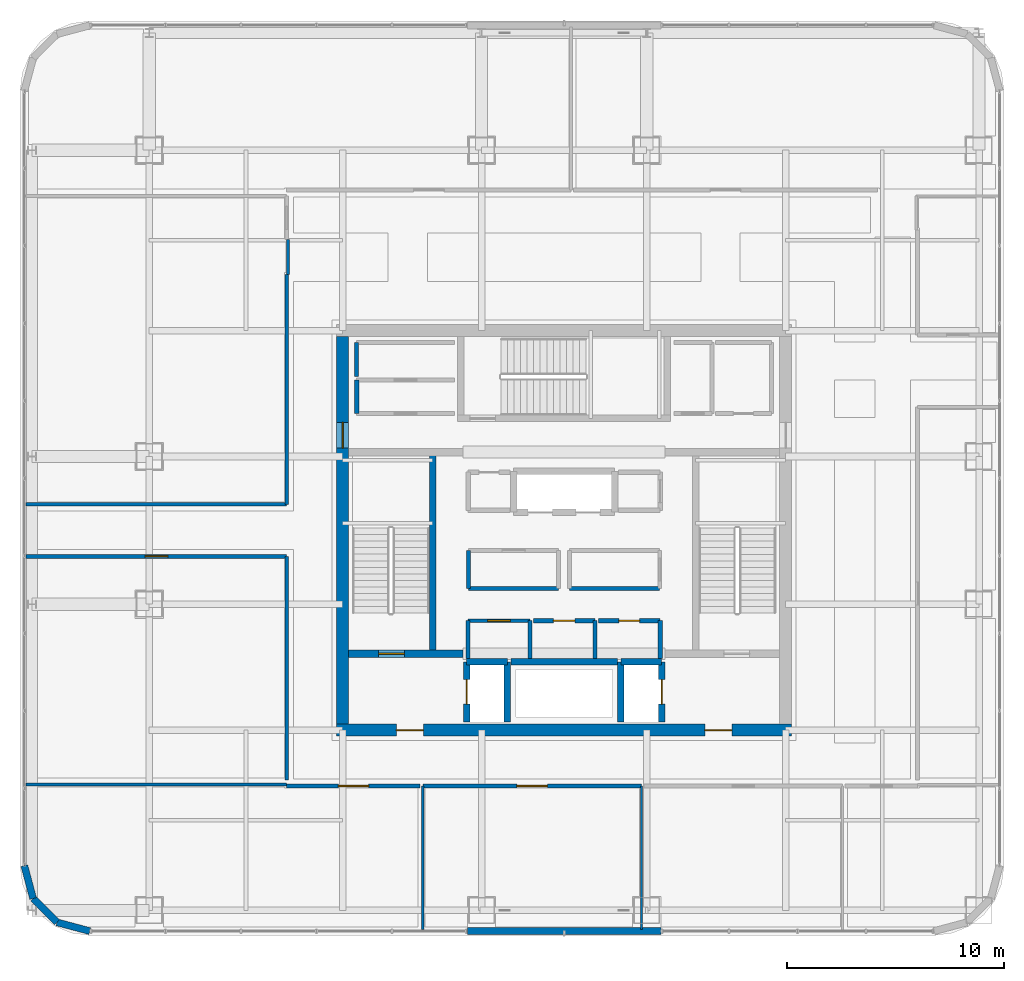
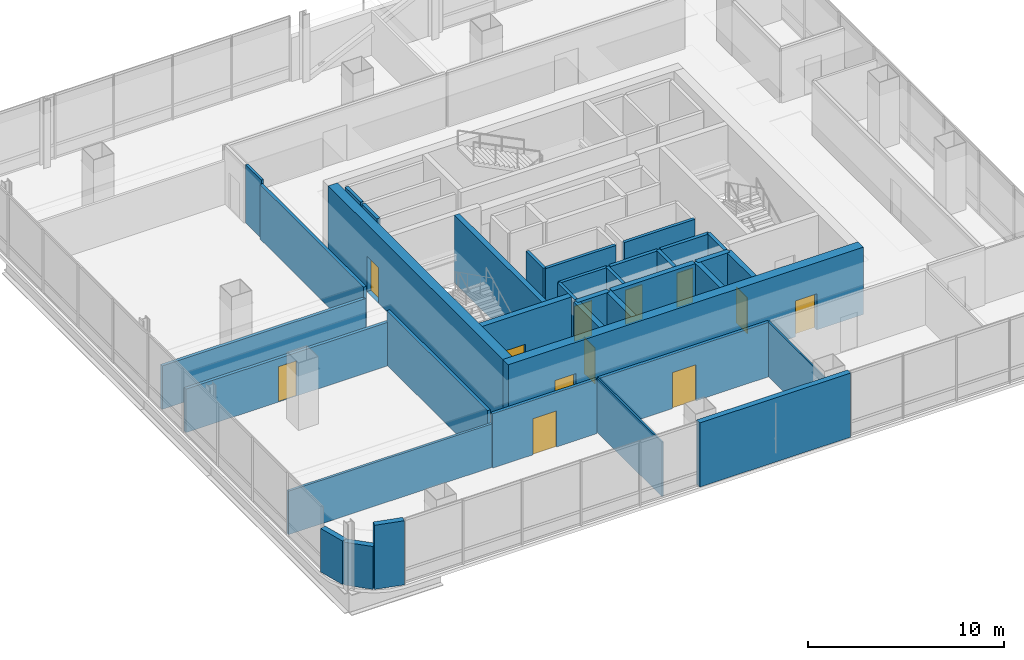
# One storey, part 32 of 43: 37 walls, 12 doors, 12 openings.
"""IFC4 building model written with IfcOpenShell, lengths in metres."""

import ifcopenshell
import ifcopenshell.guid

model = None  # the IFC model being written
_history = None  # IfcOwnerHistory: only IFC2X3 demands one
_inside = {}  # id of a spatial element -> (the spatial element, [elements in it])
_under = {}  # id of a project, library or spatial element -> (it, [spatial elements below it])
_declared = {}  # id of a project -> (the project, [libraries it declares])
_typed = {}  # id of a type object -> (the type object, [elements of that type])
_made_of = {}  # id of a material, layer set ... -> (it, [elements and type objects made of it])


def new_model(schema):
    """Start an empty IFC model of exactly this schema.

    Asked for "IFC4X3", IfcOpenShell would pick the latest addendum, in which some entities
    have other attributes; the version numbers below select the first issue.
    IFC2X3 requires an IfcOwnerHistory on every rooted entity: one is made here for all.
    """
    global model, _history
    if schema == "IFC4X3":
        model = ifcopenshell.file(schema_version=(4, 3, 0, 0))
    else:
        model = ifcopenshell.file(schema=schema)
    _inside.clear()
    _under.clear()
    _declared.clear()
    _typed.clear()
    _made_of.clear()
    _history = None
    if model.schema == "IFC2X3":
        org = make("IfcOrganization", Name="unknown")
        user = make(
            "IfcPersonAndOrganization",
            ThePerson=make("IfcPerson", FamilyName="unknown"),
            TheOrganization=org,
        )
        app = make(
            "IfcApplication",
            ApplicationDeveloper=org,
            Version="unknown",
            ApplicationFullName="unknown",
            ApplicationIdentifier="unknown",
        )
        _history = make(
            "IfcOwnerHistory",
            OwningUser=user,
            OwningApplication=app,
            ChangeAction="ADDED",
            CreationDate=0,
        )
    return model


def make(cls, **values):
    """One entity of the class cls with the attributes given. An attribute that is None is left unset."""
    return model.create_entity(
        cls, **{name: value for name, value in values.items() if value is not None}
    )


def rooted(cls, **values):
    """An entity with a GlobalId (a new one), such as an element, a storey or a relation."""
    return make(cls, GlobalId=ifcopenshell.guid.new(), OwnerHistory=_history, **values)


def si_unit(unit_type, name, prefix=None):
    """IfcSIUnit, for example si_unit("LENGTHUNIT", "METRE", prefix="MILLI")."""
    return make("IfcSIUnit", UnitType=unit_type, Prefix=prefix, Name=name)


def assignment(units):
    """IfcUnitAssignment: the units of a project."""
    return None if units is None else make("IfcUnitAssignment", Units=units)


def point(xyz):
    """IfcCartesianPoint."""
    return None if xyz is None else make("IfcCartesianPoint", Coordinates=xyz)


def direction(xyz):
    """IfcDirection."""
    return None if xyz is None else make("IfcDirection", DirectionRatios=xyz)


def frame(location, z_axis=None, x_axis=None):
    """IfcAxis2Placement3D, a coordinate frame: its origin and axes. An axis left out is left unset."""
    return make(
        "IfcAxis2Placement3D",
        Location=point(location),
        Axis=direction(z_axis),
        RefDirection=direction(x_axis),
    )


def frame_2d(location, x_axis=None):
    """IfcAxis2Placement2D, a coordinate frame in the plane: its origin and x axis."""
    return make(
        "IfcAxis2Placement2D", Location=point(location), RefDirection=direction(x_axis)
    )


def origin():
    """The frame at (0, 0, 0) with its axes left unset."""
    return frame((0.0, 0.0, 0.0))


def place(relative_to, where):
    """IfcLocalPlacement: puts the frame where relative to a parent placement (None: the world)."""
    return make(
        "IfcLocalPlacement", PlacementRelTo=relative_to, RelativePlacement=where
    )


def context(
    kind, dimensions, precision=None, world=None, true_north=None, identifier=None
):
    """IfcGeometricRepresentationContext, for example the 3D "Model" context."""
    return make(
        "IfcGeometricRepresentationContext",
        ContextIdentifier=identifier,
        ContextType=kind,
        CoordinateSpaceDimension=dimensions,
        Precision=precision,
        WorldCoordinateSystem=world,
        TrueNorth=true_north,
    )


def subcontext(parent, identifier, kind, view, scale=None):
    """IfcGeometricRepresentationSubContext, for example "Body" below "Model"."""
    return make(
        "IfcGeometricRepresentationSubContext",
        ContextIdentifier=identifier,
        ContextType=kind,
        ParentContext=parent,
        TargetScale=scale,
        TargetView=view,
    )


def project(units=None, contexts=None):
    """IfcProject with its units and contexts."""
    return rooted(
        "IfcProject",
        Name="project",
        RepresentationContexts=contexts,
        UnitsInContext=assignment(units),
    )


def spatial(cls, under=None, at=None, **own):
    """A site, building, storey or space (cls), placed at a placement, below another one or the project."""
    s = rooted(cls, ObjectPlacement=at, **own)
    if under is not None:
        _under.setdefault(under.id(), (under, []))[1].append(s)
    return s


def profile(cls, at=None, kind="AREA", **sizes):
    """A parametric profile (cls). Its sizes go by their IFC names, for example OverallWidth=200.0."""
    return make(cls, ProfileType=kind, Position=at, **sizes)


def rectangle(**sizes):
    """IfcRectangleProfileDef."""
    return profile("IfcRectangleProfileDef", **sizes)


def extrude(swept, where, along, depth):
    """IfcExtrudedAreaSolid: the profile swept, set in the frame where, extruded along a direction by depth."""
    return make(
        "IfcExtrudedAreaSolid",
        SweptArea=swept,
        Position=where,
        ExtrudedDirection=direction(along),
        Depth=depth,
    )


def shape(context_of_items, identifier, shape_type, items):
    """IfcShapeRepresentation: the items that make up one representation, for example the "Body"."""
    return make(
        "IfcShapeRepresentation",
        ContextOfItems=context_of_items,
        RepresentationIdentifier=identifier,
        RepresentationType=shape_type,
        Items=items,
    )


def material(Name=None, Category=None):
    """IfcMaterial."""
    return make("IfcMaterial", Name=Name, Category=Category)


def layer(
    of_material, thickness, ventilated=None, Name=None, Category=None, Priority=None
):
    """IfcMaterialLayer: one layer of a wall or slab, of a material (None: an air gap)."""
    return make(
        "IfcMaterialLayer",
        Material=of_material,
        LayerThickness=thickness,
        IsVentilated=ventilated,
        Name=Name,
        Category=Category,
        Priority=Priority,
    )


def layer_set(layers, Name=None):
    """IfcMaterialLayerSet."""
    return make("IfcMaterialLayerSet", MaterialLayers=layers, LayerSetName=Name)


def made_of(thing, what):
    """Note that an element or type object is made of a material, layer set ...; save() writes the relation."""
    if what is not None:
        _made_of.setdefault(what.id(), (what, []))[1].append(thing)
    return thing


def type_object(cls, material=None, **own):
    """A type object (cls), such as IfcWallType, which elements share."""
    return made_of(rooted(cls, **own), material)


def element(
    cls,
    number,
    at=None,
    inside=None,
    cuts=None,
    type_object=None,
    material=None,
    context=None,
    identifier="Body",
    shape_type=None,
    held_by="IfcProductDefinitionShape",
    body=None,
    shapes=None,
    **own,
):
    """One element of the class cls, such as IfcWall. Its Tag is "e" and its number.

    at: its placement. inside: the storey or other place that contains it. cuts: it is an
    opening in that element (IfcRelVoidsElement). A single representation is given by context,
    identifier, shape_type and body (its items); several are given by shapes. held_by: the class
    of the entity that holds the representations. save() writes the other relations.
    """
    e = rooted(cls, Tag="e%d" % number, ObjectPlacement=at, **own)
    if body is not None:
        shapes = [shape(context, identifier, shape_type, body)]
    if shapes is not None:
        e.Representation = make(held_by, Representations=shapes)
    if inside is not None:
        _inside.setdefault(inside.id(), (inside, []))[1].append(e)
    if cuts is not None:
        rooted(
            "IfcRelVoidsElement", RelatingBuildingElement=cuts, RelatedOpeningElement=e
        )
    if type_object is not None:
        _typed.setdefault(type_object.id(), (type_object, []))[1].append(e)
    return made_of(e, material)


def fill(opening, filler):
    """IfcRelFillsElement: the door or window that sits in an opening."""
    return rooted(
        "IfcRelFillsElement",
        RelatingOpeningElement=opening,
        RelatedBuildingElement=filler,
    )


def aggregate(whole, parts):
    """IfcRelAggregates: a whole, such as a stair, and the parts it consists of."""
    return rooted("IfcRelAggregates", RelatingObject=whole, RelatedObjects=parts)


def save(model, path):
    """Write the relations noted so far, then the file.

    IfcRelAggregates (storeys below a building ...), IfcRelContainedInSpatialStructure (elements
    in a storey), IfcRelDefinesByType, IfcRelAssociatesMaterial and IfcRelDeclares: one each for
    every whole, place, type object, material and project.
    """
    for whole, parts in _under.values():
        aggregate(whole, parts)
    for where, things in _inside.values():
        rooted(
            "IfcRelContainedInSpatialStructure",
            RelatedElements=things,
            RelatingStructure=where,
        )
    for kind, things in _typed.values():
        rooted("IfcRelDefinesByType", RelatedObjects=things, RelatingType=kind)
    for what, things in _made_of.values():
        rooted("IfcRelAssociatesMaterial", RelatedObjects=things, RelatingMaterial=what)
    for by, libraries in _declared.values():
        rooted("IfcRelDeclares", RelatingContext=by, RelatedDefinitions=libraries)
    model.write(path)


model = new_model("IFC4")

# Units and contexts
model_context = context("Model", 3, precision=1e-05, world=origin(), true_north=direction((0.0, 1.0)))
body_context = subcontext(model_context, "Body", "Model", "MODEL_VIEW")
ifc_project = project(units=[si_unit("LENGTHUNIT", "METRE"), si_unit("AREAUNIT", "SQUARE_METRE"), si_unit("VOLUMEUNIT", "CUBIC_METRE"), si_unit("PLANEANGLEUNIT", "RADIAN"), si_unit("MASSUNIT", "GRAM", prefix="KILO")], contexts=[model_context])

# Site, building, storey
site_placement = place(None, origin())
site = spatial("IfcSite", under=ifc_project, at=site_placement, CompositionType="ELEMENT")
building_placement = place(site_placement, origin())
building = spatial("IfcBuilding", under=site, at=building_placement, Name="Punatoya Terracotta Tower", CompositionType="ELEMENT")
storey_placement = place(building_placement, frame((0.0, 0.0, 300.60009765625)))
storey = spatial("IfcBuildingStorey", under=building, at=storey_placement, Name="L71", CompositionType="ELEMENT", Elevation=300.60009765625)

# Wall, openings, doors
ifc_material_1 = material(Name="Concrete C50/60", Category="concrete")
ifc_layer_1 = layer(ifc_material_1, 0.550048828125)
ifc_layer_set_1 = layer_set([ifc_layer_1], Name="Concrete C50/60")
wall_type_1 = type_object("IfcWallType", Name="WL-COR-550", PredefinedType="SHEAR", material=ifc_layer_set_1)
wall_1_placement = place(storey_placement, frame((10.47509765625, -9.199951171875, 0.0), z_axis=(0.0, 0.0, 1.0), x_axis=(-1.0, 0.0, 0.0)))
wall_1 = element("IfcWall", 1, at=wall_1_placement, inside=storey, type_object=wall_type_1, Name="L71 Core Shear Wall S", PredefinedType="SHEAR", context=body_context, shape_type="SweptSolid", body=[
    extrude(rectangle(XDim=20.9501953125, YDim=0.550048828125, at=frame_2d((10.47509765625, 0.0))), origin(), (0.0, 0.0, 1.0), 4.199951171875),
])
opening_1_placement = place(wall_1_placement, frame((2.75, 0.0, 0.0)))
opening_1 = element("IfcOpeningElement", 2, at=opening_1_placement, cuts=wall_1, Name="Opening FD-L1", PredefinedType="OPENING", context=body_context, shape_type="SweptSolid", body=[
    extrude(rectangle(XDim=1.25, YDim=2.25, at=frame_2d((0.625, 1.125))), frame((0.0, 0.284912109375, 0.0), z_axis=(0.0, -1.0, 0.0), x_axis=(1.0, 0.0, 0.0)), (0.0, 0.0, 1.0), 0.570068359375),
])
opening_2_placement = place(wall_1_placement, frame((16.949951171875, 0.0, 0.0)))
opening_2 = element("IfcOpeningElement", 3, at=opening_2_placement, cuts=wall_1, Name="Opening FD-L1", PredefinedType="OPENING", context=body_context, shape_type="SweptSolid", body=[
    extrude(rectangle(XDim=1.25, YDim=2.25, at=frame_2d((0.625, 1.125))), frame((0.0, 0.284912109375, 0.0), z_axis=(0.0, -1.0, 0.0), x_axis=(1.0, 0.0, 0.0)), (0.0, 0.0, 1.0), 0.570068359375),
])
ifc_material_2 = material(Name="Galvanised Steel Smokeproof Fire Door", Category="steel")
door_type_1 = type_object("IfcDoorType", Name="DR-FFL-1250", OperationType="NOTDEFINED", PredefinedType="DOOR", material=ifc_material_2)
door_1_placement = place(opening_1_placement, origin())
door_1 = element("IfcDoor", 4, at=door_1_placement, inside=storey, type_object=door_type_1, Name="L71 East Firefighting Lobby Corridor Fire Door", OperationType="SINGLE_SWING_LEFT", OverallHeight=2.25, OverallWidth=1.25, PredefinedType="DOOR", context=body_context, shape_type="SweptSolid", body=[
    extrude(rectangle(XDim=1.25, YDim=2.25, at=frame_2d((0.625, 1.125))), frame((0.0, 0.02490234375, 0.0), z_axis=(0.0, -1.0, 0.0), x_axis=(1.0, 0.0, 0.0)), (0.0, 0.0, 1.0), 0.050048828125),
])
fill(opening_1, door_1)
door_2_placement = place(opening_2_placement, origin())
door_2 = element("IfcDoor", 5, at=door_2_placement, inside=storey, type_object=door_type_1, Name="L71 West Firefighting Lobby Corridor Fire Door", OperationType="SINGLE_SWING_RIGHT", OverallHeight=2.25, OverallWidth=1.25, PredefinedType="DOOR", context=body_context, shape_type="SweptSolid", body=[
    extrude(rectangle(XDim=1.25, YDim=2.25, at=frame_2d((0.625, 1.125))), frame((0.0, 0.02490234375, 0.0), z_axis=(0.0, -1.0, 0.0), x_axis=(1.0, 0.0, 0.0)), (0.0, 0.0, 1.0), 0.050048828125),
])
fill(opening_2, door_2)

# Wall, opening, door
wall_2_placement = place(storey_placement, frame((-10.199951171875, -8.925048828125, 0.0), z_axis=(0.0, 0.0, 1.0), x_axis=(0.0, 1.0, 0.0)))
wall_2 = element("IfcWall", 6, at=wall_2_placement, inside=storey, type_object=wall_type_1, Name="L71 Core Shear Wall W", PredefinedType="SHEAR", context=body_context, shape_type="SweptSolid", body=[
    extrude(rectangle(XDim=17.85009765625, YDim=0.550048828125, at=frame_2d((8.925048828125, 0.0))), origin(), (0.0, 0.0, 1.0), 4.199951171875),
])
opening_3_placement = place(wall_2_placement, frame((12.715087890625, 0.0, 0.0)))
opening_3 = element("IfcOpeningElement", 7, at=opening_3_placement, cuts=wall_2, Name="Opening SD-01", PredefinedType="OPENING", context=body_context, shape_type="SweptSolid", body=[
    extrude(rectangle(XDim=1.179931640625, YDim=2.199951171875, at=frame_2d((0.58984375, 1.10009765625))), frame((0.0, 0.284912109375, 0.0), z_axis=(0.0, -1.0, 0.0), x_axis=(1.0, 0.0, 0.0)), (0.0, 0.0, 1.0), 0.570068359375),
])
ifc_material_3 = material(Name="Galvanised Steel Pressurized Stair Fire Door", Category="steel")
door_type_2 = type_object("IfcDoorType", Name="DR-STR-1180", OperationType="NOTDEFINED", PredefinedType="DOOR", material=ifc_material_3)
door_3_placement = place(opening_3_placement, origin())
door_3 = element("IfcDoor", 8, at=door_3_placement, inside=storey, type_object=door_type_2, Name="L71 Central Lift Lobby West Fire Door", OperationType="SINGLE_SWING_LEFT", OverallHeight=2.199951171875, OverallWidth=1.179931640625, PredefinedType="DOOR", context=body_context, shape_type="SweptSolid", body=[
    extrude(rectangle(XDim=1.179931640625, YDim=2.199951171875, at=frame_2d((0.58984375, 1.10009765625))), frame((0.0, 0.02490234375, 0.0), z_axis=(0.0, -1.0, 0.0), x_axis=(1.0, 0.0, 0.0)), (0.0, 0.0, 1.0), 0.050048828125),
])
fill(opening_3, door_3)

# Wall
ifc_material_4 = material(Name="Gypsum Fireboard + Steel Stud", Category="steel")
ifc_layer_2 = layer(ifc_material_4, 0.179931640625)
ifc_layer_set_2 = layer_set([ifc_layer_2], Name="Gypsum Fireboard + Steel Stud")
wall_type_2 = type_object("IfcWallType", Name="WL-CORR-180", PredefinedType="PARTITIONING", material=ifc_layer_set_2)
wall_3_placement = place(storey_placement, frame((-1.580078125, -5.89990234375, 0.0), z_axis=(0.0, 0.0, 1.0), x_axis=(0.0, 1.0, 0.0)))
element("IfcWall", 9, at=wall_3_placement, inside=storey, type_object=wall_type_2, Name="L71 Core Quiet Wellness Room Partition 01", PredefinedType="PARTITIONING", context=body_context, shape_type="SweptSolid", body=[
    extrude(rectangle(XDim=1.739990234375, YDim=0.179931640625, at=frame_2d((0.8701171875, 0.0))), origin(), (0.0, 0.0, 1.0), 4.0),
])

# Wall, opening, door
wall_4_placement = place(storey_placement, frame((-1.580078125, -4.159912109375, 0.0), z_axis=(0.0, 0.0, 1.0), x_axis=(-1.0, 0.0, 0.0)))
wall_4 = element("IfcWall", 10, at=wall_4_placement, inside=storey, type_object=wall_type_2, Name="L71 Core Quiet Wellness Room Partition 02", PredefinedType="PARTITIONING", context=body_context, shape_type="SweptSolid", body=[
    extrude(rectangle(XDim=2.83984375, YDim=0.179931640625, at=frame_2d((1.419921875, 0.0))), origin(), (0.0, 0.0, 1.0), 4.0),
])
opening_4_placement = place(wall_4_placement, frame((0.89501953125, 0.0, 0.0)))
opening_4 = element("IfcOpeningElement", 11, at=opening_4_placement, cuts=wall_4, Name="Opening OD-01", PredefinedType="OPENING", context=body_context, shape_type="SweptSolid", body=[
    extrude(rectangle(XDim=1.050048828125, YDim=2.199951171875, at=frame_2d((0.52490234375, 1.10009765625))), frame((0.0, 0.099853515625, 0.0), z_axis=(0.0, -1.0, 0.0), x_axis=(1.0, 0.0, 0.0)), (0.0, 0.0, 1.0), 0.199951171875),
])
ifc_material_5 = material(Name="Bengal Teak Solid-Core Leaf")
door_type_3 = type_object("IfcDoorType", Name="DR-OFF-1050", OperationType="NOTDEFINED", PredefinedType="DOOR", material=ifc_material_5)
door_4_placement = place(opening_4_placement, origin())
door_4 = element("IfcDoor", 12, at=door_4_placement, inside=storey, type_object=door_type_3, Name="L71 Quiet Wellness Room Door", OperationType="SINGLE_SWING_LEFT", OverallHeight=2.199951171875, OverallWidth=1.050048828125, PredefinedType="DOOR", context=body_context, shape_type="SweptSolid", body=[
    extrude(rectangle(XDim=1.050048828125, YDim=2.199951171875, at=frame_2d((0.52490234375, 1.10009765625))), frame((0.0, 0.02490234375, 0.0), z_axis=(0.0, -1.0, 0.0), x_axis=(1.0, 0.0, 0.0)), (0.0, 0.0, 1.0), 0.050048828125),
])
fill(opening_4, door_4)

# Walls
wall_5_placement = place(storey_placement, frame((-4.419921875, -4.159912109375, 0.0), z_axis=(0.0, 0.0, 1.0), x_axis=(0.0, -1.0, 0.0)))
element("IfcWall", 13, at=wall_5_placement, inside=storey, type_object=wall_type_2, Name="L71 Core Quiet Wellness Room Partition 03", PredefinedType="PARTITIONING", context=body_context, shape_type="SweptSolid", body=[
    extrude(rectangle(XDim=1.739990234375, YDim=0.179931640625, at=frame_2d((0.8701171875, 0.0))), origin(), (0.0, 0.0, 1.0), 4.0),
])
wall_6_placement = place(storey_placement, frame((-4.39990234375, -0.919921875, 0.0), z_axis=(0.0, 0.0, 1.0), x_axis=(0.0, -1.0, 0.0)))
element("IfcWall", 14, at=wall_6_placement, inside=storey, type_object=wall_type_2, Name="L71 West Core Focus Pod Partition 10", PredefinedType="PARTITIONING", context=body_context, shape_type="SweptSolid", body=[
    extrude(rectangle(XDim=1.760009765625, YDim=0.179931640625, at=frame_2d((0.8798828125, 0.0))), origin(), (0.0, 0.0, 1.0), 4.0),
])
for number, where, z_axis, x_axis, name in (
    (15, (-4.39990234375, -2.679931640625, 0.0), (0.0, 0.0, 1.0), (1.0, 0.0, 0.0), "L71 West Core Focus Pod Partition 11"),
    (16, (0.25, -2.679931640625, 0.0), (0.0, 0.0, 1.0), (1.0, 0.0, 0.0), "L71 East Core Wellness Room Partition 15"),
):
    element("IfcWall", number, at=place(storey_placement, frame(where, z_axis=z_axis, x_axis=x_axis)), inside=storey, type_object=wall_type_2, Name=name, PredefinedType="PARTITIONING", context=body_context, shape_type="SweptSolid", body=[
        extrude(rectangle(XDim=4.14990234375, YDim=0.179931640625, at=frame_2d((2.074951171875, 0.0))), origin(), (0.0, 0.0, 1.0), 4.0),
    ])
wall_7_placement = place(storey_placement, frame((-9.550048828125, 8.64990234375, 0.0), z_axis=(0.0, 0.0, 1.0), x_axis=(0.0, -1.0, 0.0)))
element("IfcWall", 17, at=wall_7_placement, inside=storey, type_object=wall_type_2, Name="L71 West Core Copy Room Partition 26", PredefinedType="PARTITIONING", context=body_context, shape_type="SweptSolid", body=[
    extrude(rectangle(XDim=1.56982421875, YDim=0.179931640625, at=frame_2d((0.784912109375, 0.0))), origin(), (0.0, 0.0, 1.0), 4.0),
])

# Wall, opening, door
wall_8_placement = place(storey_placement, frame((-6.507080078125, -11.77001953125, 0.0), z_axis=(0.0, 0.0, 1.0), x_axis=(1.0, 0.0, 0.0)))
wall_8 = element("IfcWall", 18, at=wall_8_placement, inside=storey, type_object=wall_type_2, Name="L71 Open-Plan Plenary Seminar Room Partition 35", PredefinedType="PARTITIONING", context=body_context, shape_type="SweptSolid", body=[
    extrude(rectangle(XDim=10.066162109375, YDim=0.179931640625, at=frame_2d((5.033203125, 0.0))), origin(), (0.0, 0.0, 1.0), 3.393798828125),
])
opening_5_placement = place(wall_8_placement, frame((4.3330078125, 0.0, 0.0)))
opening_5 = element("IfcOpeningElement", 19, at=opening_5_placement, cuts=wall_8, Name="Opening BD-01", PredefinedType="OPENING", context=body_context, shape_type="SweptSolid", body=[
    extrude(rectangle(XDim=1.39990234375, YDim=2.25, at=frame_2d((0.699951171875, 1.125))), frame((0.0, 0.099853515625, 0.0), z_axis=(0.0, -1.0, 0.0), x_axis=(1.0, 0.0, 0.0)), (0.0, 0.0, 1.0), 0.199951171875),
])
ifc_material_6 = material(Name="Bengal Teak Acoustic Leaf")
door_type_4 = type_object("IfcDoorType", Name="DR-BRD-1400", OperationType="NOTDEFINED", PredefinedType="DOOR", material=ifc_material_6)
door_5_placement = place(opening_5_placement, origin())
door_5 = element("IfcDoor", 20, at=door_5_placement, inside=storey, type_object=door_type_4, Name="L71 Open-Plan Plenary Seminar Room Door", OperationType="SINGLE_SWING_RIGHT", OverallHeight=2.25, OverallWidth=1.39990234375, PredefinedType="DOOR", context=body_context, shape_type="SweptSolid", body=[
    extrude(rectangle(XDim=1.39990234375, YDim=2.25, at=frame_2d((0.699951171875, 1.125))), frame((0.0, 0.02490234375, 0.0), z_axis=(0.0, -1.0, 0.0), x_axis=(1.0, 0.0, 0.0)), (0.0, 0.0, 1.0), 0.050048828125),
])
fill(opening_5, door_5)

wall_9_placement = place(storey_placement, frame((-12.77001953125, -11.77001953125, 0.0), z_axis=(0.0, 0.0, 1.0), x_axis=(1.0, 0.0, 0.0)))
wall_9 = element("IfcWall", 21, at=wall_9_placement, inside=storey, type_object=wall_type_2, Name="L71 Open-Plan Collaborative Workshop Room Partition 39", PredefinedType="PARTITIONING", context=body_context, shape_type="SweptSolid", body=[
    extrude(rectangle(XDim=6.14306640625, YDim=0.179931640625, at=frame_2d((3.071533203125, 0.0))), origin(), (0.0, 0.0, 1.0), 3.393798828125),
])
opening_6_placement = place(wall_9_placement, frame((2.37158203125, 0.0, 0.0)))
opening_6 = element("IfcOpeningElement", 22, at=opening_6_placement, cuts=wall_9, Name="Opening BD-01", PredefinedType="OPENING", context=body_context, shape_type="SweptSolid", body=[
    extrude(rectangle(XDim=1.39990234375, YDim=2.25, at=frame_2d((0.699951171875, 1.125))), frame((0.0, 0.099853515625, 0.0), z_axis=(0.0, -1.0, 0.0), x_axis=(1.0, 0.0, 0.0)), (0.0, 0.0, 1.0), 0.199951171875),
])
door_6_placement = place(opening_6_placement, origin())
door_6 = element("IfcDoor", 23, at=door_6_placement, inside=storey, type_object=door_type_4, Name="L71 Open-Plan Collaborative Workshop Room Door", OperationType="SINGLE_SWING_RIGHT", OverallHeight=2.25, OverallWidth=1.39990234375, PredefinedType="DOOR", context=body_context, shape_type="SweptSolid", body=[
    extrude(rectangle(XDim=1.39990234375, YDim=2.25, at=frame_2d((0.699951171875, 1.125))), frame((0.0, 0.02490234375, 0.0), z_axis=(0.0, -1.0, 0.0), x_axis=(1.0, 0.0, 0.0)), (0.0, 0.0, 1.0), 0.050048828125),
])
fill(opening_6, door_6)

wall_10_placement = place(storey_placement, frame((-24.77001953125, -1.199951171875, 0.0), z_axis=(0.0, 0.0, 1.0), x_axis=(1.0, 0.0, 0.0)))
wall_10 = element("IfcWall", 24, at=wall_10_placement, inside=storey, type_object=wall_type_2, Name="L71 Open-Plan Breakout Tea Pantry Partition 42", PredefinedType="PARTITIONING", context=body_context, shape_type="SweptSolid", body=[
    extrude(rectangle(XDim=12.0, YDim=0.179931640625, at=frame_2d((6.0, 0.0))), origin(), (0.0, 0.0, 1.0), 2.7138671875),
])
opening_7_placement = place(wall_10_placement, frame((5.47509765625, 0.0, 0.0)))
opening_7 = element("IfcOpeningElement", 25, at=opening_7_placement, cuts=wall_10, Name="Opening OD-01", PredefinedType="OPENING", context=body_context, shape_type="SweptSolid", body=[
    extrude(rectangle(XDim=1.050048828125, YDim=2.199951171875, at=frame_2d((0.52490234375, 1.10009765625))), frame((0.0, 0.099853515625, 0.0), z_axis=(0.0, -1.0, 0.0), x_axis=(1.0, 0.0, 0.0)), (0.0, 0.0, 1.0), 0.199951171875),
])
door_7_placement = place(opening_7_placement, origin())
door_7 = element("IfcDoor", 26, at=door_7_placement, inside=storey, type_object=door_type_3, Name="L71 Open-Plan Breakout Tea Pantry Door", OperationType="SINGLE_SWING_RIGHT", OverallHeight=2.199951171875, OverallWidth=1.050048828125, PredefinedType="DOOR", context=body_context, shape_type="SweptSolid", body=[
    extrude(rectangle(XDim=1.050048828125, YDim=2.199951171875, at=frame_2d((0.52490234375, 1.10009765625))), frame((0.0, 0.02490234375, 0.0), z_axis=(0.0, -1.0, 0.0), x_axis=(1.0, 0.0, 0.0)), (0.0, 0.0, 1.0), 0.050048828125),
])
fill(opening_7, door_7)

# Walls
wall_11_placement = place(storey_placement, frame((-12.77001953125, -1.199951171875, 0.0), z_axis=(0.0, 0.0, 1.0), x_axis=(0.0, -1.0, 0.0)))
element("IfcWall", 27, at=wall_11_placement, inside=storey, type_object=wall_type_2, Name="L71 Open-Plan Breakout Tea Pantry Partition 43", PredefinedType="PARTITIONING", context=body_context, shape_type="SweptSolid", body=[
    extrude(rectangle(XDim=10.2900390625, YDim=0.179931640625, at=frame_2d((5.14501953125, 0.0))), origin(), (0.0, 0.0, 1.0), 3.393798828125),
])
wall_12_placement = place(storey_placement, frame((-12.77001953125, 11.77001953125, 0.0), z_axis=(0.0, 0.0, 1.0), x_axis=(0.0, -1.0, 0.0)))
element("IfcWall", 28, at=wall_12_placement, inside=storey, type_object=wall_type_2, Name="L71 Wellness Focus Room Partition 49", PredefinedType="PARTITIONING", context=body_context, shape_type="SweptSolid", body=[
    extrude(rectangle(XDim=10.570068359375, YDim=0.179931640625, at=frame_2d((5.28515625, 0.0))), origin(), (0.0, 0.0, 1.0), 3.393798828125),
])
wall_13_placement = place(storey_placement, frame((-12.77001953125, 1.199951171875, 0.0), z_axis=(0.0, 0.0, 1.0), x_axis=(-1.0, 0.0, 0.0)))
element("IfcWall", 29, at=wall_13_placement, inside=storey, type_object=wall_type_2, Name="L71 Wellness Focus Room Partition 50", PredefinedType="PARTITIONING", context=body_context, shape_type="SweptSolid", body=[
    extrude(rectangle(XDim=12.0, YDim=0.179931640625, at=frame_2d((6.0, 0.0))), origin(), (0.0, 0.0, 1.0), 2.7138671875),
])
ifc_material_7 = material(Name="Precast concrete C40/50", Category="concrete")
ifc_layer_3 = layer(ifc_material_7, 0.320068359375)
ifc_layer_set_3 = layer_set([ifc_layer_3], Name="Precast concrete C40/50")
wall_type_3 = type_object("IfcWallType", Name="WL-EXT-320", PredefinedType="SOLIDWALL", material=ifc_layer_set_3)
wall_14_placement = place(storey_placement, frame((-4.449951171875, -18.449951171875, 0.0), z_axis=(0.0, 0.0, 1.0), x_axis=(1.0, 0.0, 0.0)))
element("IfcWall", 30, at=wall_14_placement, inside=storey, type_object=wall_type_3, Name="L71 Terracotta Braced Facade Wall S1", PredefinedType="SOLIDWALL", context=body_context, shape_type="SweptSolid", body=[
    extrude(rectangle(XDim=8.89990234375, YDim=0.320068359375, at=frame_2d((4.449951171875, 0.0))), origin(), (0.0, 0.0, 1.0), 4.0),
])
wall_15_placement = place(storey_placement, frame((-24.85009765625, -15.43701171875, 0.0), z_axis=(0.0, 0.0, 1.0), x_axis=(0.257847112249, -0.966185730957, 0.0)))
element("IfcWall", 31, at=wall_15_placement, inside=storey, type_object=wall_type_3, Name="L71 Rounded Terracotta Corner Pier 14", PredefinedType="SOLIDWALL", context=body_context, shape_type="SweptSolid", body=[
    extrude(rectangle(XDim=1.565185546875, YDim=0.320068359375, at=frame_2d((0.78271484375, 0.0))), origin(), (0.0, 0.0, 1.0), 2.7138671875),
])
wall_16_placement = place(storey_placement, frame((-24.446533203125, -16.94921875, 0.0), z_axis=(0.0, 0.0, 1.0), x_axis=(0.707106781187, -0.707106781187, 0.0)))
element("IfcWall", 32, at=wall_16_placement, inside=storey, type_object=wall_type_3, Name="L71 Rounded Terracotta Corner Pier 15", PredefinedType="SOLIDWALL", context=body_context, shape_type="SweptSolid", body=[
    extrude(rectangle(XDim=1.552001953125, YDim=0.320068359375, at=frame_2d((0.77587890625, 0.0))), origin(), (0.0, 0.0, 1.0), 2.673828125),
])
wall_17_placement = place(storey_placement, frame((-23.34912109375, -18.046630859375, 0.0), z_axis=(0.0, 0.0, 1.0), x_axis=(0.966224582397, -0.257701486942, 0.0)))
element("IfcWall", 33, at=wall_17_placement, inside=storey, type_object=wall_type_3, Name="L71 Rounded Terracotta Corner Pier 16", PredefinedType="SOLIDWALL", context=body_context, shape_type="SweptSolid", body=[
    extrude(rectangle(XDim=1.565185546875, YDim=0.320068359375, at=frame_2d((0.78271484375, 0.0))), origin(), (0.0, 0.0, 1.0), 4.0),
])
ifc_material_8 = material(Name="Aluminium Framed Acoustic Glass Partition", Category="aluminium")
ifc_layer_4 = layer(ifc_material_8, 0.10009765625)
ifc_layer_set_4 = layer_set([ifc_layer_4], Name="Aluminium Framed Acoustic Glass Partition")
wall_type_4 = type_object("IfcWallType", Name="WL-GLZ-100", PredefinedType="PARTITIONING", material=ifc_layer_set_4)
for number, where, z_axis, x_axis, name in (
    (34, (3.55908203125, -11.77001953125, 0.0), (0.0, 0.0, 1.0), (0.0, -1.0, 0.0), "L71 Open-Plan Plenary Seminar Room Partition 33"),
    (35, (-6.507080078125, -18.3701171875, 0.0), (0.0, 0.0, 1.0), (0.0, 1.0, 0.0), "L71 Open-Plan Plenary Seminar Room Partition 34"),
):
    element("IfcWall", number, at=place(storey_placement, frame(where, z_axis=z_axis, x_axis=x_axis)), inside=storey, type_object=wall_type_4, Name=name, PredefinedType="PARTITIONING", context=body_context, shape_type="SweptSolid", body=[
        extrude(rectangle(XDim=6.60009765625, YDim=0.10009765625, at=frame_2d((3.300048828125, 0.0))), origin(), (0.0, 0.0, 1.0), 3.393798828125),
    ])
ifc_material_9 = material(Name="Concrete C40/50", Category="concrete")
ifc_layer_5 = layer(ifc_material_9, 0.199951171875)
ifc_layer_set_5 = layer_set([ifc_layer_5], Name="Concrete C40/50")
wall_type_5 = type_object("IfcWallType", Name="WL-INT-200", PredefinedType="SOLIDWALL", material=ifc_layer_set_5)
wall_18_placement = place(storey_placement, frame((1.419921875, -5.89990234375, 0.0), z_axis=(0.0, 0.0, 1.0), x_axis=(0.0, 1.0, 0.0)))
element("IfcWall", 36, at=wall_18_placement, inside=storey, type_object=wall_type_5, Name="L71 Accessible Universal Washroom Partition 04", PredefinedType="SOLIDWALL", context=body_context, shape_type="SweptSolid", body=[
    extrude(rectangle(XDim=1.739990234375, YDim=0.199951171875, at=frame_2d((0.8701171875, 0.0))), origin(), (0.0, 0.0, 1.0), 4.0),
])

# Wall, opening, door
wall_19_placement = place(storey_placement, frame((1.419921875, -4.159912109375, 0.0), z_axis=(0.0, 0.0, 1.0), x_axis=(-1.0, 0.0, 0.0)))
wall_19 = element("IfcWall", 37, at=wall_19_placement, inside=storey, type_object=wall_type_5, Name="L71 Accessible Universal Washroom Partition 05", PredefinedType="SOLIDWALL", context=body_context, shape_type="SweptSolid", body=[
    extrude(rectangle(XDim=2.83984375, YDim=0.199951171875, at=frame_2d((1.419921875, 0.0))), origin(), (0.0, 0.0, 1.0), 4.0),
])
opening_8_placement = place(wall_19_placement, frame((0.919921875, 0.0, 0.0)))
opening_8 = element("IfcOpeningElement", 38, at=opening_8_placement, cuts=wall_19, Name="Opening AWD-1", PredefinedType="OPENING", context=body_context, shape_type="SweptSolid", body=[
    extrude(rectangle(XDim=1.0, YDim=2.14990234375, at=frame_2d((0.5, 1.074951171875))), frame((0.0, 0.10986328125, 0.0), z_axis=(0.0, -1.0, 0.0), x_axis=(1.0, 0.0, 0.0)), (0.0, 0.0, 1.0), 0.219970703125),
])
ifc_material_10 = material(Name="Bengal Teak Accessible WC Leaf")
door_type_5 = type_object("IfcDoorType", Name="DR-ACC-1000", OperationType="NOTDEFINED", PredefinedType="DOOR", material=ifc_material_10)
door_8_placement = place(opening_8_placement, origin())
door_8 = element("IfcDoor", 39, at=door_8_placement, inside=storey, type_object=door_type_5, Name="L71 Accessible Universal Washroom Door", OperationType="SINGLE_SWING_RIGHT", OverallHeight=2.14990234375, OverallWidth=1.0, PredefinedType="DOOR", context=body_context, shape_type="SweptSolid", body=[
    extrude(rectangle(XDim=1.0, YDim=2.14990234375, at=frame_2d((0.5, 1.074951171875))), frame((0.0, 0.02490234375, 0.0), z_axis=(0.0, -1.0, 0.0), x_axis=(1.0, 0.0, 0.0)), (0.0, 0.0, 1.0), 0.050048828125),
])
fill(opening_8, door_8)

# Wall
wall_20_placement = place(storey_placement, frame((4.419921875, -5.89990234375, 0.0), z_axis=(0.0, 0.0, 1.0), x_axis=(0.0, 1.0, 0.0)))
element("IfcWall", 40, at=wall_20_placement, inside=storey, type_object=wall_type_5, Name="L71 All-Gender Washroom Partition 06", PredefinedType="SOLIDWALL", context=body_context, shape_type="SweptSolid", body=[
    extrude(rectangle(XDim=1.739990234375, YDim=0.199951171875, at=frame_2d((0.8701171875, 0.0))), origin(), (0.0, 0.0, 1.0), 4.0),
])

# Wall, opening, door
wall_21_placement = place(storey_placement, frame((4.419921875, -4.159912109375, 0.0), z_axis=(0.0, 0.0, 1.0), x_axis=(-1.0, 0.0, 0.0)))
wall_21 = element("IfcWall", 41, at=wall_21_placement, inside=storey, type_object=wall_type_5, Name="L71 All-Gender Washroom Partition 07", PredefinedType="SOLIDWALL", context=body_context, shape_type="SweptSolid", body=[
    extrude(rectangle(XDim=2.83984375, YDim=0.199951171875, at=frame_2d((1.419921875, 0.0))), origin(), (0.0, 0.0, 1.0), 4.0),
])
opening_9_placement = place(wall_21_placement, frame((0.945068359375, 0.0, 0.0)))
opening_9 = element("IfcOpeningElement", 42, at=opening_9_placement, cuts=wall_21, Name="Opening WD-01", PredefinedType="OPENING", context=body_context, shape_type="SweptSolid", body=[
    extrude(rectangle(XDim=0.949951171875, YDim=2.14990234375, at=frame_2d((0.47509765625, 1.074951171875))), frame((0.0, 0.10986328125, 0.0), z_axis=(0.0, -1.0, 0.0), x_axis=(1.0, 0.0, 0.0)), (0.0, 0.0, 1.0), 0.219970703125),
])
ifc_material_11 = material(Name="Moisture-Resistant Laminate Timber Leaf", Category="wood")
door_type_6 = type_object("IfcDoorType", Name="DR-WC-950", OperationType="NOTDEFINED", PredefinedType="DOOR", material=ifc_material_11)
door_9_placement = place(opening_9_placement, origin())
door_9 = element("IfcDoor", 43, at=door_9_placement, inside=storey, type_object=door_type_6, Name="L71 All-Gender Washroom Door", OperationType="SINGLE_SWING_LEFT", OverallHeight=2.14990234375, OverallWidth=0.949951171875, PredefinedType="DOOR", context=body_context, shape_type="SweptSolid", body=[
    extrude(rectangle(XDim=0.949951171875, YDim=2.14990234375, at=frame_2d((0.47509765625, 1.074951171875))), frame((0.0, 0.02490234375, 0.0), z_axis=(0.0, -1.0, 0.0), x_axis=(1.0, 0.0, 0.0)), (0.0, 0.0, 1.0), 0.050048828125),
])
fill(opening_9, door_9)

# Walls
wall_22_placement = place(storey_placement, frame((-9.550048828125, 6.919921875, 0.0), z_axis=(0.0, 0.0, 1.0), x_axis=(0.0, -1.0, 0.0)))
element("IfcWall", 44, at=wall_22_placement, inside=storey, type_object=wall_type_5, Name="L71 West Core Tea Pantry Partition 23", PredefinedType="SOLIDWALL", context=body_context, shape_type="SweptSolid", body=[
    extrude(rectangle(XDim=1.5400390625, YDim=0.199951171875, at=frame_2d((0.77001953125, 0.0))), origin(), (0.0, 0.0, 1.0), 4.0),
])
ifc_material_12 = material(Name="Acoustic Gypsum + Steel Stud", Category="steel")
ifc_layer_6 = layer(ifc_material_12, 0.139892578125)
ifc_layer_set_6 = layer_set([ifc_layer_6], Name="Acoustic Gypsum + Steel Stud")
wall_type_6 = type_object("IfcWallType", Name="WL-OFF-140", PredefinedType="PARTITIONING", material=ifc_layer_set_6)
wall_23_placement = place(storey_placement, frame((-24.77001953125, -11.7099609375, 0.0), z_axis=(0.0, 0.0, 1.0), x_axis=(1.0, 0.0, 0.0)))
element("IfcWall", 45, at=wall_23_placement, inside=storey, type_object=wall_type_6, Name="L71 Open-Plan Collaborative Workshop Room Partition 38", PredefinedType="PARTITIONING", context=body_context, shape_type="SweptSolid", body=[
    extrude(rectangle(XDim=12.0, YDim=0.139892578125, at=frame_2d((6.0, 0.0))), origin(), (0.0, 0.0, 1.0), 2.7138671875),
])
wall_24_placement = place(storey_placement, frame((-12.7099609375, 13.3798828125, 0.0), z_axis=(0.0, 0.0, 1.0), x_axis=(0.0, -1.0, 0.0)))
element("IfcWall", 46, at=wall_24_placement, inside=storey, type_object=wall_type_6, Name="L71 Wellness Focus Room Partition 48", PredefinedType="PARTITIONING", context=body_context, shape_type="SweptSolid", body=[
    extrude(rectangle(XDim=1.60986328125, YDim=0.139892578125, at=frame_2d((0.804931640625, 0.0))), origin(), (0.0, 0.0, 1.0), 3.6337890625),
])
ifc_layer_7 = layer(ifc_material_9, 0.300048828125)
ifc_layer_set_7 = layer_set([ifc_layer_7], Name="Concrete C40/50")
wall_type_7 = type_object("IfcWallType", Name="WL-SHF-300", PredefinedType="SOLIDWALL", material=ifc_layer_set_7)
wall_25_placement = place(storey_placement, frame((-6.050048828125, -5.5, 0.0), z_axis=(0.0, 0.0, 1.0), x_axis=(0.0, 1.0, 0.0)))
element("IfcWall", 47, at=wall_25_placement, inside=storey, type_object=wall_type_7, Name="L71 Structural Stair Shaft Wall SW-ST1-E", PredefinedType="SOLIDWALL", context=body_context, shape_type="SweptSolid", body=[
    extrude(rectangle(XDim=8.949951171875, YDim=0.300048828125, at=frame_2d((4.47509765625, 0.0))), origin(), (0.0, 0.0, 1.0), 4.199951171875),
])

# Wall, opening, door
wall_26_placement = place(storey_placement, frame((-4.489990234375, -8.820068359375, 0.0), z_axis=(0.0, 0.0, 1.0), x_axis=(0.0, 1.0, 0.0)))
wall_26 = element("IfcWall", 48, at=wall_26_placement, inside=storey, type_object=wall_type_7, Name="L71 FFL-1 Front Hoistway Wall", PredefinedType="SOLIDWALL", context=body_context, shape_type="SweptSolid", body=[
    extrude(rectangle(XDim=2.77001953125, YDim=0.300048828125, at=frame_2d((1.385009765625, 0.0))), origin(), (0.0, 0.0, 1.0), 4.0),
])
opening_10_placement = place(wall_26_placement, frame((0.824951171875, 0.0, 0.0)))
opening_10 = element("IfcOpeningElement", 49, at=opening_10_placement, cuts=wall_26, Name="Opening LD-02", PredefinedType="OPENING", context=body_context, shape_type="SweptSolid", body=[
    extrude(rectangle(XDim=1.1201171875, YDim=2.25, at=frame_2d((0.56005859375, 1.125))), frame((0.0, 0.159912109375, 0.0), z_axis=(0.0, -1.0, 0.0), x_axis=(1.0, 0.0, 0.0)), (0.0, 0.0, 1.0), 0.320068359375),
])
ifc_material_13 = material(Name="Stainless Steel Lift Landing Door", Category="steel")
door_type_7 = type_object("IfcDoorType", Name="DR-LND-1120", OperationType="NOTDEFINED", PredefinedType="DOOR", material=ifc_material_13)
door_10_placement = place(opening_10_placement, origin())
door_10 = element("IfcDoor", 50, at=door_10_placement, inside=storey, type_object=door_type_7, Name="L71 Firefighting Lift FFL-1 Sliding Landing Door", OperationType="SLIDING_TO_LEFT", OverallHeight=2.25, OverallWidth=1.1201171875, PredefinedType="DOOR", context=body_context, shape_type="SweptSolid", body=[
    extrude(rectangle(XDim=1.1201171875, YDim=2.25, at=frame_2d((0.56005859375, 1.125))), frame((0.0, 0.02490234375, 0.0), z_axis=(0.0, -1.0, 0.0), x_axis=(1.0, 0.0, 0.0)), (0.0, 0.0, 1.0), 0.050048828125),
])
fill(opening_10, door_10)

# Walls
wall_27_placement = place(storey_placement, frame((-2.610107421875, -8.820068359375, 0.0), z_axis=(0.0, 0.0, 1.0), x_axis=(0.0, 1.0, 0.0)))
element("IfcWall", 51, at=wall_27_placement, inside=storey, type_object=wall_type_7, Name="L71 FFL-1 Rear Hoistway Wall", PredefinedType="SOLIDWALL", context=body_context, shape_type="SweptSolid", body=[
    extrude(rectangle(XDim=2.77001953125, YDim=0.300048828125, at=frame_2d((1.385009765625, 0.0))), origin(), (0.0, 0.0, 1.0), 4.0),
])
wall_28_placement = place(storey_placement, frame((-4.489990234375, -6.050048828125, 0.0), z_axis=(0.0, 0.0, 1.0), x_axis=(1.0, 0.0, 0.0)))
element("IfcWall", 52, at=wall_28_placement, inside=storey, type_object=wall_type_7, Name="L71 FFL-1 North Hoistway Wall", PredefinedType="SOLIDWALL", context=body_context, shape_type="SweptSolid", body=[
    extrude(rectangle(XDim=1.8798828125, YDim=0.300048828125, at=frame_2d((0.93994140625, 0.0))), origin(), (0.0, 0.0, 1.0), 4.0),
])

# Wall, opening, door
wall_29_placement = place(storey_placement, frame((4.489990234375, -8.820068359375, 0.0), z_axis=(0.0, 0.0, 1.0), x_axis=(0.0, 1.0, 0.0)))
wall_29 = element("IfcWall", 53, at=wall_29_placement, inside=storey, type_object=wall_type_7, Name="L71 FFL-2 Front Hoistway Wall", PredefinedType="SOLIDWALL", context=body_context, shape_type="SweptSolid", body=[
    extrude(rectangle(XDim=2.77001953125, YDim=0.300048828125, at=frame_2d((1.385009765625, 0.0))), origin(), (0.0, 0.0, 1.0), 4.0),
])
opening_11_placement = place(wall_29_placement, frame((0.824951171875, 0.0, 0.0)))
opening_11 = element("IfcOpeningElement", 54, at=opening_11_placement, cuts=wall_29, Name="Opening LD-02", PredefinedType="OPENING", context=body_context, shape_type="SweptSolid", body=[
    extrude(rectangle(XDim=1.1201171875, YDim=2.25, at=frame_2d((0.56005859375, 1.125))), frame((0.0, 0.159912109375, 0.0), z_axis=(0.0, -1.0, 0.0), x_axis=(1.0, 0.0, 0.0)), (0.0, 0.0, 1.0), 0.320068359375),
])
door_11_placement = place(opening_11_placement, origin())
door_11 = element("IfcDoor", 55, at=door_11_placement, inside=storey, type_object=door_type_7, Name="L71 Firefighting Lift FFL-2 Sliding Landing Door", OperationType="SLIDING_TO_RIGHT", OverallHeight=2.25, OverallWidth=1.1201171875, PredefinedType="DOOR", context=body_context, shape_type="SweptSolid", body=[
    extrude(rectangle(XDim=1.1201171875, YDim=2.25, at=frame_2d((0.56005859375, 1.125))), frame((0.0, 0.02490234375, 0.0), z_axis=(0.0, -1.0, 0.0), x_axis=(1.0, 0.0, 0.0)), (0.0, 0.0, 1.0), 0.050048828125),
])
fill(opening_11, door_11)

# Walls
wall_30_placement = place(storey_placement, frame((2.610107421875, -8.820068359375, 0.0), z_axis=(0.0, 0.0, 1.0), x_axis=(0.0, 1.0, 0.0)))
element("IfcWall", 56, at=wall_30_placement, inside=storey, type_object=wall_type_7, Name="L71 FFL-2 Rear Hoistway Wall", PredefinedType="SOLIDWALL", context=body_context, shape_type="SweptSolid", body=[
    extrude(rectangle(XDim=2.77001953125, YDim=0.300048828125, at=frame_2d((1.385009765625, 0.0))), origin(), (0.0, 0.0, 1.0), 4.0),
])
wall_31_placement = place(storey_placement, frame((2.610107421875, -6.050048828125, 0.0), z_axis=(0.0, 0.0, 1.0), x_axis=(1.0, 0.0, 0.0)))
element("IfcWall", 57, at=wall_31_placement, inside=storey, type_object=wall_type_7, Name="L71 FFL-2 North Hoistway Wall", PredefinedType="SOLIDWALL", context=body_context, shape_type="SweptSolid", body=[
    extrude(rectangle(XDim=1.8798828125, YDim=0.300048828125, at=frame_2d((0.93994140625, 0.0))), origin(), (0.0, 0.0, 1.0), 4.0),
])
wall_32_placement = place(storey_placement, frame((-2.449951171875, -6.050048828125, 0.0), z_axis=(0.0, 0.0, 1.0), x_axis=(1.0, 0.0, 0.0)))
element("IfcWall", 58, at=wall_32_placement, inside=storey, type_object=wall_type_7, Name="L71 Observation Shuttle Rear Hoistway Wall", PredefinedType="SOLIDWALL", context=body_context, shape_type="SweptSolid", body=[
    extrude(rectangle(XDim=4.89990234375, YDim=0.300048828125, at=frame_2d((2.449951171875, 0.0))), origin(), (0.0, 0.0, 1.0), 4.0),
])

# Wall, opening, door
ifc_layer_8 = layer(ifc_material_1, 0.35009765625)
ifc_layer_set_8 = layer_set([ifc_layer_8], Name="Concrete C50/60")
wall_type_8 = type_object("IfcWallType", Name="WL-SHF-350", PredefinedType="SOLIDWALL", material=ifc_layer_set_8)
wall_33_placement = place(storey_placement, frame((-9.925048828125, -5.679931640625, 0.0), z_axis=(0.0, 0.0, 1.0), x_axis=(1.0, 0.0, 0.0)))
wall_33 = element("IfcWall", 59, at=wall_33_placement, inside=storey, type_object=wall_type_8, Name="L71 Core Web Wall CSW-L", PredefinedType="SOLIDWALL", context=body_context, shape_type="SweptSolid", body=[
    extrude(rectangle(XDim=5.275146484375, YDim=0.35009765625, at=frame_2d((2.6376953125, 0.0))), origin(), (0.0, 0.0, 1.0), 4.199951171875),
])
opening_12_placement = place(wall_33_placement, frame((1.385009765625, 0.0, 0.0)))
opening_12 = element("IfcOpeningElement", 60, at=opening_12_placement, cuts=wall_33, Name="Opening SD-01", PredefinedType="OPENING", context=body_context, shape_type="SweptSolid", body=[
    extrude(rectangle(XDim=1.179931640625, YDim=2.199951171875, at=frame_2d((0.58984375, 1.10009765625))), frame((0.0, 0.18505859375, 0.0), z_axis=(0.0, -1.0, 0.0), x_axis=(1.0, 0.0, 0.0)), (0.0, 0.0, 1.0), 0.3701171875),
])
door_12_placement = place(opening_12_placement, origin())
door_12 = element("IfcDoor", 61, at=door_12_placement, inside=storey, type_object=door_type_2, Name="L71 Stair ST-1 Smokeproof Lobby Fire Door", OperationType="SINGLE_SWING_LEFT", OverallHeight=2.199951171875, OverallWidth=1.179931640625, PredefinedType="DOOR", context=body_context, shape_type="SweptSolid", body=[
    extrude(rectangle(XDim=1.179931640625, YDim=2.199951171875, at=frame_2d((0.58984375, 1.10009765625))), frame((0.0, 0.02490234375, 0.0), z_axis=(0.0, -1.0, 0.0), x_axis=(1.0, 0.0, 0.0)), (0.0, 0.0, 1.0), 0.050048828125),
])
fill(opening_12, door_12)

save(model, "model.ifc")
